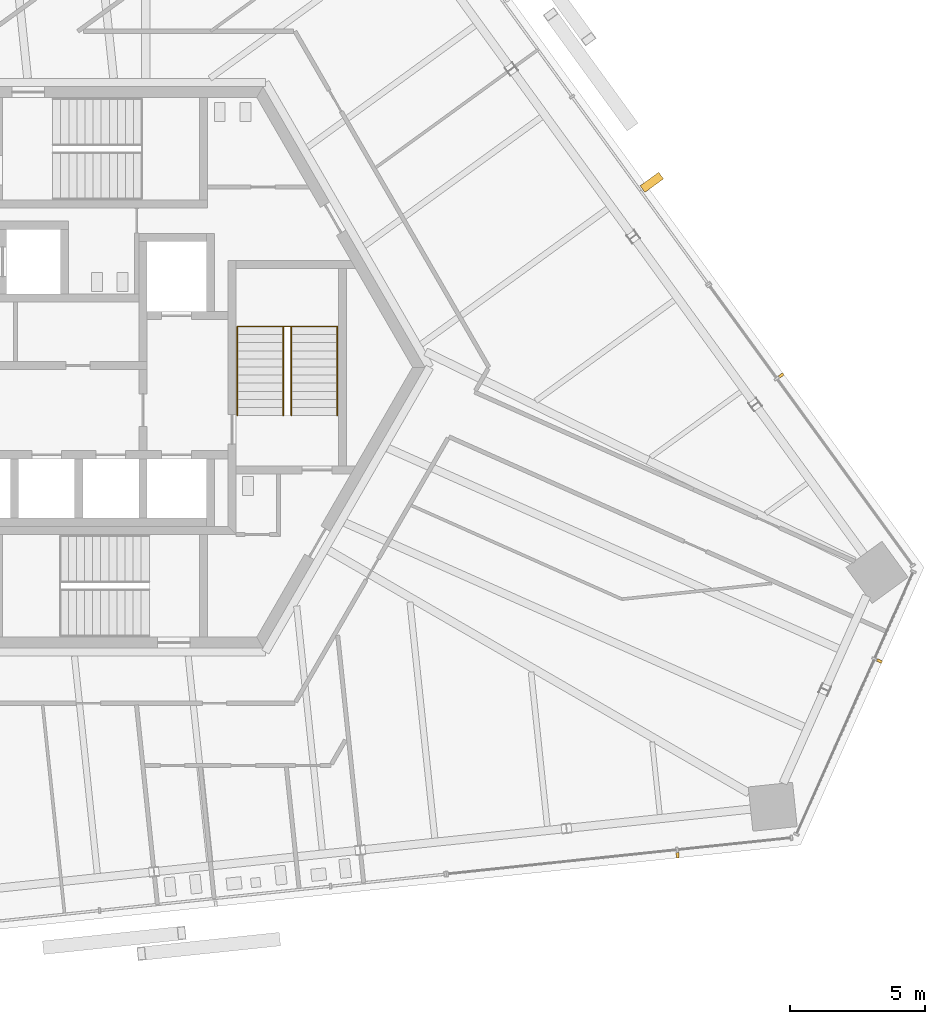
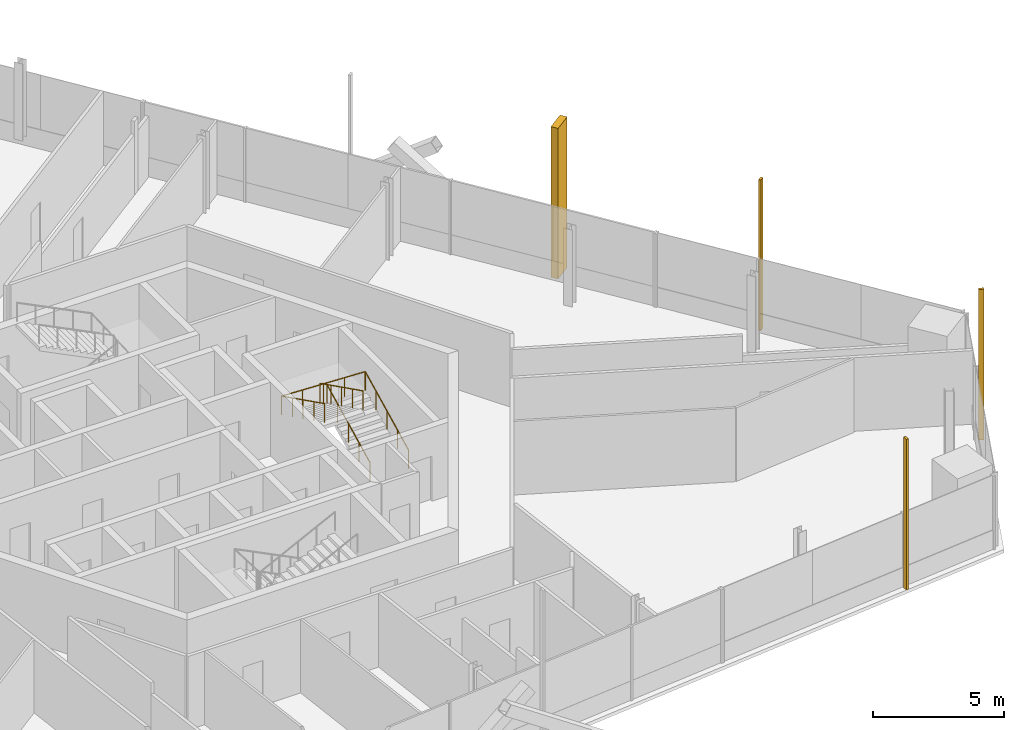
# One storey, part 16 of 20: 4 shading devices, 2 railings.
"""IFC4 building model written with IfcOpenShell, lengths in metres."""

from ifc_helpers import new_model, si_unit, direction, frame, origin, origin_2d, place, context, subcontext, project, spatial, rectangle, circle, extrude, source, transform, mapped, material, type_object, element, save


model = new_model("IFC4")

# Units and contexts
model_context = context("Model", 3, precision=1e-05, world=origin(), true_north=direction((0.0, 1.0)))
body_context = subcontext(model_context, "Body", "Model", "MODEL_VIEW")
ifc_project = project(units=[si_unit("LENGTHUNIT", "METRE"), si_unit("AREAUNIT", "SQUARE_METRE"), si_unit("VOLUMEUNIT", "CUBIC_METRE"), si_unit("PLANEANGLEUNIT", "RADIAN"), si_unit("MASSUNIT", "GRAM", prefix="KILO")], contexts=[model_context])

# Site, building, storey
site_placement = place(None, origin())
site = spatial("IfcSite", under=ifc_project, at=site_placement, CompositionType="ELEMENT")
building_placement = place(site_placement, origin())
building = spatial("IfcBuilding", under=site, at=building_placement, Name="Triune Harvest Tower", CompositionType="ELEMENT")
storey_placement = place(building_placement, frame((0.0, 0.0, 234.10009765625)))
storey = spatial("IfcBuildingStorey", under=building, at=storey_placement, Name="L61", CompositionType="ELEMENT", Elevation=234.10009765625)

# Railings
ifc_material_1 = material(Name="Stainless steel AISI 316", Category="steel")
railing_type = type_object("IfcRailingType", Name="Stair handrail", PredefinedType="HANDRAIL", material=ifc_material_1)
shared_shape_1 = source(origin(), body_context, "Body", "SweptSolid", [
    extrude(circle(Radius=0.02392578125, at=origin_2d()), frame((0.0, 0.0, 0.8759765625), z_axis=(0.0, 0.894440424912, 0.447187126696), x_axis=(-1.0, 0.0, 0.0)), (0.0, 0.0, 1.0), 3.689453125),
    extrude(circle(Radius=0.02392578125, at=origin_2d()), frame((0.0, 3.300048828125, 2.52587890625), z_axis=(-0.999177620331, 0.0, 0.040547293732), x_axis=(0.0, -1.0, 0.0)), (0.0, 0.0, 1.0), 3.702880859375),
    extrude(circle(Radius=0.02392578125, at=origin_2d()), frame((-3.699951171875, 3.300048828125, 2.67578125), z_axis=(0.0, -0.894440424912, 0.447187126696), x_axis=(1.0, 0.0, 0.0)), (0.0, 0.0, 1.0), 3.689453125),
    extrude(circle(Radius=0.02099609375, at=origin_2d()), origin(), (0.0, 0.0, 1.0), 0.851806640625),
    extrude(circle(Radius=0.02099609375, at=origin_2d()), frame((0.0, 0.824951171875, 0.41259765625)), (0.0, 0.0, 1.0), 0.851806640625),
    extrude(circle(Radius=0.02099609375, at=origin_2d()), frame((0.0, 1.64990234375, 0.824951171875)), (0.0, 0.0, 1.0), 0.851806640625),
    extrude(circle(Radius=0.02099609375, at=origin_2d()), frame((0.0, 2.47509765625, 1.2373046875)), (0.0, 0.0, 1.0), 0.851806640625),
    extrude(circle(Radius=0.02099609375, at=origin_2d()), frame((0.0, 3.300048828125, 1.64990234375)), (0.0, 0.0, 1.0), 0.851806640625),
    extrude(circle(Radius=0.02099609375, at=origin_2d()), frame((-0.925048828125, 3.300048828125, 1.6875)), (0.0, 0.0, 1.0), 0.851806640625),
    extrude(circle(Radius=0.02099609375, at=origin_2d()), frame((-1.85009765625, 3.300048828125, 1.72509765625)), (0.0, 0.0, 1.0), 0.851806640625),
    extrude(circle(Radius=0.02099609375, at=origin_2d()), frame((-2.77490234375, 3.300048828125, 1.762451171875)), (0.0, 0.0, 1.0), 0.851806640625),
    extrude(circle(Radius=0.02099609375, at=origin_2d()), frame((-3.699951171875, 3.300048828125, 1.800048828125)), (0.0, 0.0, 1.0), 0.851806640625),
    extrude(circle(Radius=0.02099609375, at=origin_2d()), frame((-3.699951171875, 2.47509765625, 2.21240234375)), (0.0, 0.0, 1.0), 0.851806640625),
    extrude(circle(Radius=0.02099609375, at=origin_2d()), frame((-3.699951171875, 1.64990234375, 2.625)), (0.0, 0.0, 1.0), 0.851806640625),
    extrude(circle(Radius=0.02099609375, at=origin_2d()), frame((-3.699951171875, 0.824951171875, 3.03759765625)), (0.0, 0.0, 1.0), 0.851806640625),
    extrude(circle(Radius=0.02099609375, at=origin_2d()), frame((-3.699951171875, 0.0, 3.449951171875)), (0.0, 0.0, 1.0), 0.851806640625),
])
railing_1_placement = place(storey_placement, frame((8.75, -1.7900390625, 0.14990234375)))
element("IfcRailing", 1, at=railing_1_placement, inside=storey, type_object=railing_type, Name="Exit stair east wall handrail", PredefinedType="HANDRAIL", context=body_context, shape_type="MappedRepresentation", body=[
    mapped(shared_shape_1, transform((0.0, 0.0, 0.0), scale=1.0)),
])
shared_shape_2 = source(origin(), body_context, "Body", "SweptSolid", [
    extrude(circle(Radius=0.02392578125, at=origin_2d()), frame((0.0, 0.0, 0.8759765625), z_axis=(0.0, 0.894440424912, 0.447187126696), x_axis=(-1.0, 0.0, 0.0)), (0.0, 0.0, 1.0), 3.689453125),
    extrude(circle(Radius=0.02392578125, at=origin_2d()), frame((0.0, 3.300048828125, 2.52587890625), z_axis=(-0.894281613681, 0.0, 0.447504631744), x_axis=(0.0, -1.0, 0.0)), (0.0, 0.0, 1.0), 0.33544921875),
    extrude(circle(Radius=0.02392578125, at=origin_2d()), frame((-0.300048828125, 3.300048828125, 2.67578125), z_axis=(0.0, -0.894440424912, 0.447187126696), x_axis=(1.0, 0.0, 0.0)), (0.0, 0.0, 1.0), 3.689453125),
    extrude(circle(Radius=0.02099609375, at=origin_2d()), origin(), (0.0, 0.0, 1.0), 0.851806640625),
    extrude(circle(Radius=0.02099609375, at=origin_2d()), frame((0.0, 0.824951171875, 0.41259765625)), (0.0, 0.0, 1.0), 0.851806640625),
    extrude(circle(Radius=0.02099609375, at=origin_2d()), frame((0.0, 1.64990234375, 0.824951171875)), (0.0, 0.0, 1.0), 0.851806640625),
    extrude(circle(Radius=0.02099609375, at=origin_2d()), frame((0.0, 2.47509765625, 1.2373046875)), (0.0, 0.0, 1.0), 0.851806640625),
    extrude(circle(Radius=0.02099609375, at=origin_2d()), frame((0.0, 3.300048828125, 1.64990234375)), (0.0, 0.0, 1.0), 0.851806640625),
    extrude(circle(Radius=0.02099609375, at=origin_2d()), frame((-0.300048828125, 3.300048828125, 1.800048828125)), (0.0, 0.0, 1.0), 0.851806640625),
    extrude(circle(Radius=0.02099609375, at=origin_2d()), frame((-0.300048828125, 2.47509765625, 2.21240234375)), (0.0, 0.0, 1.0), 0.851806640625),
    extrude(circle(Radius=0.02099609375, at=origin_2d()), frame((-0.300048828125, 1.64990234375, 2.625)), (0.0, 0.0, 1.0), 0.851806640625),
    extrude(circle(Radius=0.02099609375, at=origin_2d()), frame((-0.300048828125, 0.824951171875, 3.03759765625)), (0.0, 0.0, 1.0), 0.851806640625),
    extrude(circle(Radius=0.02099609375, at=origin_2d()), frame((-0.300048828125, 0.0, 3.449951171875)), (0.0, 0.0, 1.0), 0.851806640625),
])
railing_2_placement = place(storey_placement, frame((7.050048828125, -1.7900390625, 0.14990234375)))
element("IfcRailing", 2, at=railing_2_placement, inside=storey, type_object=railing_type, Name="Exit stair east centre handrail", PredefinedType="HANDRAIL", context=body_context, shape_type="MappedRepresentation", body=[
    mapped(shared_shape_2, transform((0.0, 0.0, 0.0), scale=1.0)),
])

# Shading devices
ifc_material_2 = material(Name="Aluminium bronze anodised", Category="aluminium")
shared_shape_3 = source(origin(), body_context, "Body", "SweptSolid", [
    extrude(rectangle(XDim=0.10009765625, YDim=0.199951171875, at=origin_2d()), origin(), (0.0, 0.0, 1.0), 7.0400390625),
])
for number, where, z_axis, x_axis, name in (
    (3, (25.191162109375, -0.300537109375, 0.0), (0.0, 0.0, 1.0), (-0.587785672066, 0.809016689391, 0.0), "FN-1 fin B6-F1.3 L61"),
    (4, (21.35595703125, -18.070068359375, 0.0), (0.0, 0.0, 1.0), (0.994521747579, 0.104529869379, 0.0), "FN-1 fin B6-F5.11 L61"),
    (5, (28.8291015625, -10.87841796875, 0.0), (0.0, 0.0, 1.0), (0.406743216086, 0.913542531121, 0.0), "FN-1 fin B6-F6.3 L61"),
):
    element("IfcShadingDevice", number, at=place(storey_placement, frame(where, z_axis=z_axis, x_axis=x_axis)), inside=storey, material=ifc_material_2, Name=name, ObjectType="FIN", PredefinedType="USERDEFINED", context=body_context, shape_type="MappedRepresentation", body=[
        mapped(shared_shape_3, transform((0.0, 0.0, 0.0), scale=1.0)),
    ])
shared_shape_4 = source(origin(), body_context, "Body", "SweptSolid", [
    extrude(rectangle(XDim=0.300048828125, YDim=0.85009765625, at=origin_2d()), origin(), (0.0, 0.0, 1.0), 7.0400390625),
])
shading_device_placement = place(storey_placement, frame((20.399169921875, 6.84814453125, 0.0), z_axis=(0.0, 0.0, 1.0), x_axis=(-0.587785672066, 0.809016689391, 0.0)))
element("IfcShadingDevice", 6, at=shading_device_placement, inside=storey, material=ifc_material_2, Name="FN-2 fin B6-F1.5 L61", ObjectType="FIN", PredefinedType="USERDEFINED", context=body_context, shape_type="MappedRepresentation", body=[
    mapped(shared_shape_4, transform((0.0, 0.0, 0.0), scale=1.0)),
])

save(model, "model.ifc")
